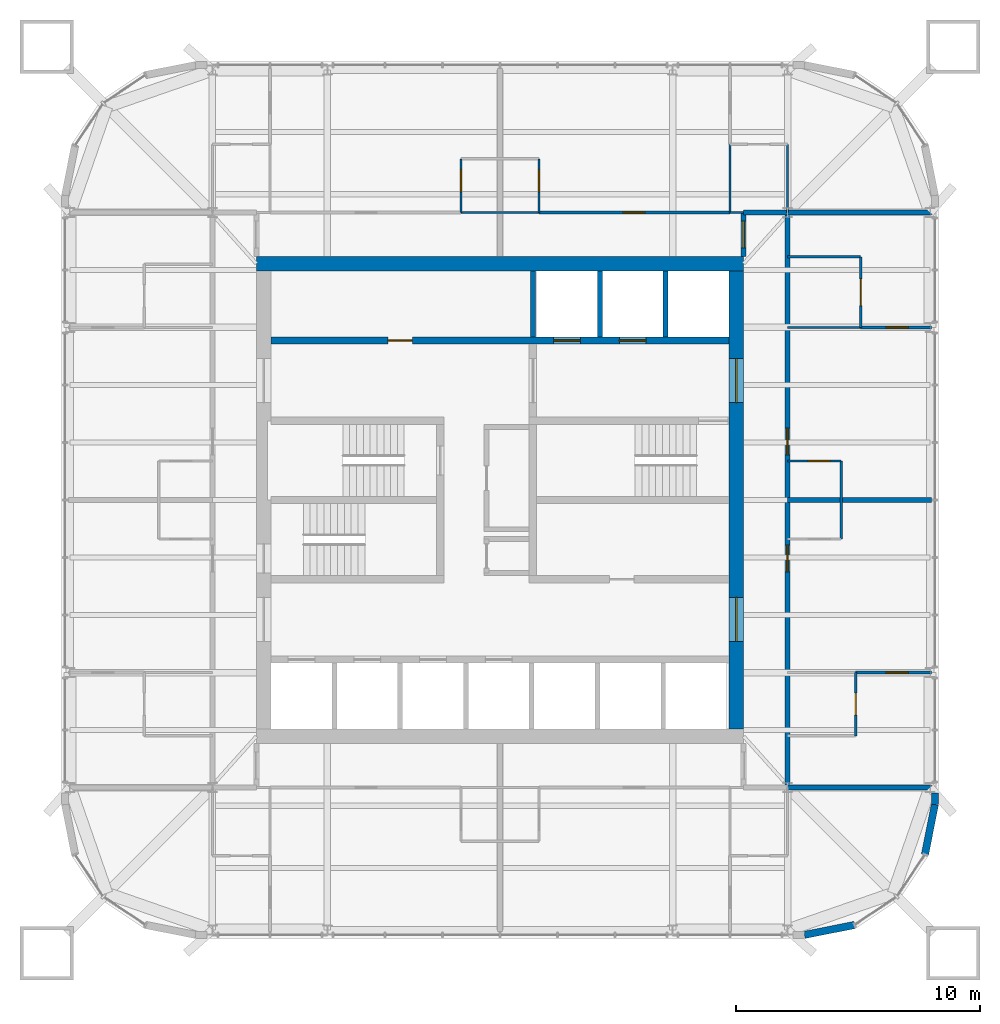
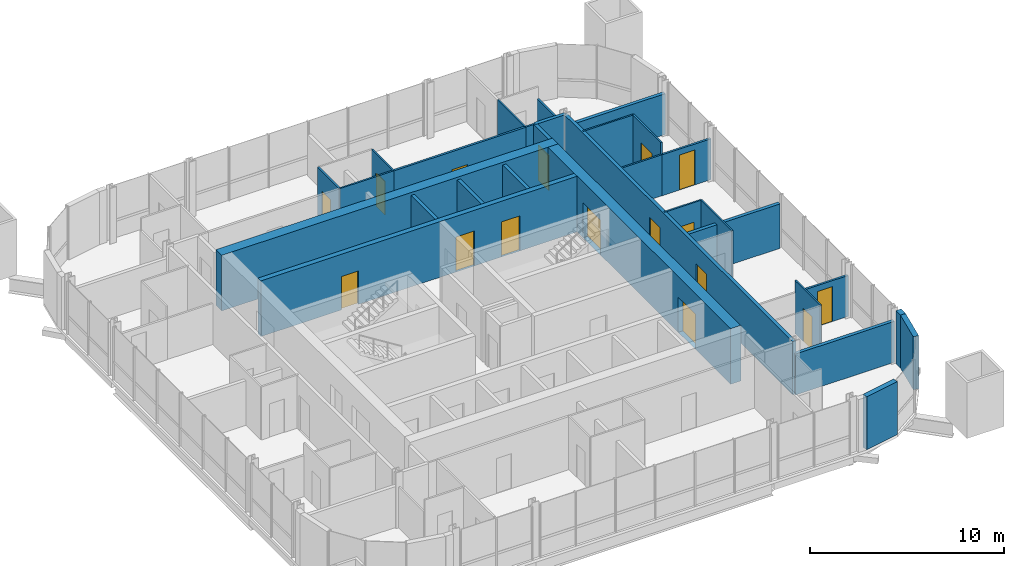
# One storey, part 10 of 12: 30 walls, 16 doors, 16 openings.
"""IFC4 building model written with IfcOpenShell, lengths in metres."""

from ifc_helpers import new_model, si_unit, direction, frame, frame_2d, origin, place, context, subcontext, project, spatial, rectangle, extrude, material, layer, layer_set, type_object, element, fill, save


model = new_model("IFC4")

# Units and contexts
model_context = context("Model", 3, precision=1e-05, world=origin(), true_north=direction((0.0, 1.0)))
body_context = subcontext(model_context, "Body", "Model", "MODEL_VIEW")
ifc_project = project(units=[si_unit("LENGTHUNIT", "METRE"), si_unit("AREAUNIT", "SQUARE_METRE"), si_unit("VOLUMEUNIT", "CUBIC_METRE"), si_unit("PLANEANGLEUNIT", "RADIAN"), si_unit("MASSUNIT", "GRAM", prefix="KILO")], contexts=[model_context])

# Site, building, storey
site_placement = place(None, origin())
site = spatial("IfcSite", under=ifc_project, at=site_placement, CompositionType="ELEMENT")
building_placement = place(site_placement, origin())
building = spatial("IfcBuilding", under=site, at=building_placement, Name="Turquesa Mirador Hotel Tower", CompositionType="ELEMENT")
storey_placement = place(building_placement, frame((0.0, 0.0, 233.699951171875)))
storey = spatial("IfcBuildingStorey", under=building, at=storey_placement, Name="L63", CompositionType="ELEMENT", Elevation=233.699951171875)

# Wall, opening, door
ifc_material_1 = material(Name="Gypsum board on steel studs", Category="steel")
ifc_layer_1 = layer(ifc_material_1, 0.10009765625)
ifc_layer_set_1 = layer_set([ifc_layer_1], Name="BATHROOM WALL 100")
wall_type_1 = type_object("IfcWallType", Name="BATHROOM WALL 100", PredefinedType="PARTITIONING", material=ifc_layer_set_1)
wall_1_placement = place(storey_placement, frame((66.800048828125, 46.60009765625, 0.0), z_axis=(0.0, 0.0, 1.0), x_axis=(1.0, 0.0, 0.0)))
wall_1 = element("IfcWall", 1, at=wall_1_placement, inside=storey, type_object=wall_type_1, Name="Partition L63 024", PredefinedType="PARTITIONING", context=body_context, shape_type="SweptSolid", body=[
    extrude(rectangle(XDim=2.199951171875, YDim=0.10009765625, at=frame_2d((1.10009765625, 0.0))), origin(), (0.0, 0.0, 1.0), 3.330078125),
])
opening_1_placement = place(wall_1_placement, frame((0.85009765625, 0.0, 0.0)))
opening_1 = element("IfcOpeningElement", 2, at=opening_1_placement, cuts=wall_1, Name="Opening D06", PredefinedType="OPENING", context=body_context, shape_type="SweptSolid", body=[
    extrude(rectangle(XDim=0.89990234375, YDim=2.10009765625, at=frame_2d((0.449951171875, 1.050048828125))), frame((0.0, 0.06005859375, 0.0), z_axis=(0.0, -1.0, 0.0), x_axis=(1.0, 0.0, 0.0)), (0.0, 0.0, 1.0), 0.1201171875),
])
ifc_material_2 = material(Name="Laminate door", Category="wood")
door_type_1 = type_object("IfcDoorType", Name="DOOR 900X2100 WC", OperationType="SINGLE_SWING_LEFT", PredefinedType="DOOR", material=ifc_material_2)
door_1_placement = place(opening_1_placement, origin())
door_1 = element("IfcDoor", 3, at=door_1_placement, inside=storey, type_object=door_type_1, Name="Door 6306W", OperationType="SINGLE_SWING_LEFT", OverallHeight=2.10009765625, OverallWidth=0.89990234375, PredefinedType="DOOR", context=body_context, shape_type="SweptSolid", body=[
    extrude(rectangle(XDim=0.89990234375, YDim=2.10009765625, at=frame_2d((0.449951171875, 1.050048828125))), frame((0.0, 0.02490234375, 0.0), z_axis=(0.0, -1.0, 0.0), x_axis=(1.0, 0.0, 0.0)), (0.0, 0.0, 1.0), 0.050048828125),
])
fill(opening_1, door_1)

# Walls
wall_2_placement = place(storey_placement, frame((53.39990234375, 56.800048828125, 0.0), z_axis=(0.0, 0.0, 1.0), x_axis=(1.0, 0.0, 0.0)))
element("IfcWall", 4, at=wall_2_placement, inside=storey, type_object=wall_type_1, Name="Partition L63 026", PredefinedType="PARTITIONING", context=body_context, shape_type="SweptSolid", body=[
    extrude(rectangle(XDim=3.2001953125, YDim=0.10009765625, at=frame_2d((1.60009765625, 0.0))), origin(), (0.0, 0.0, 1.0), 3.330078125),
])
wall_3_placement = place(storey_placement, frame((64.43994140625, 56.800048828125, 0.0), z_axis=(0.0, 0.0, 1.0), x_axis=(1.0, 0.0, 0.0)))
element("IfcWall", 5, at=wall_3_placement, inside=storey, type_object=wall_type_1, Name="Partition L63 027", PredefinedType="PARTITIONING", context=body_context, shape_type="SweptSolid", body=[
    extrude(rectangle(XDim=0.56005859375, YDim=0.10009765625, at=frame_2d((0.280029296875, 0.0))), origin(), (0.0, 0.0, 1.0), 3.330078125),
])
wall_4_placement = place(storey_placement, frame((66.800048828125, 52.080078125, 0.0), z_axis=(0.0, 0.0, 1.0), x_axis=(1.0, 0.0, 0.0)))
element("IfcWall", 6, at=wall_4_placement, inside=storey, type_object=wall_type_1, Name="Partition L63 038", PredefinedType="PARTITIONING", context=body_context, shape_type="SweptSolid", body=[
    extrude(rectangle(XDim=3.0, YDim=0.10009765625, at=frame_2d((1.5, 0.0))), origin(), (0.0, 0.0, 1.0), 2.5732421875),
])
wall_5_placement = place(storey_placement, frame((66.800048828125, 54.97998046875, 0.0), z_axis=(0.0, 0.0, 1.0), x_axis=(1.0, 0.0, 0.0)))
element("IfcWall", 7, at=wall_5_placement, inside=storey, type_object=wall_type_1, Name="Partition L63 042", PredefinedType="PARTITIONING", context=body_context, shape_type="SweptSolid", body=[
    extrude(rectangle(XDim=3.0, YDim=0.10009765625, at=frame_2d((1.5, 0.0))), origin(), (0.0, 0.0, 1.0), 3.330078125),
])

# Wall, opening, door
wall_6_placement = place(storey_placement, frame((53.39990234375, 56.800048828125, 0.0), z_axis=(0.0, 0.0, 1.0), x_axis=(0.0, 1.0, 0.0)))
wall_6 = element("IfcWall", 8, at=wall_6_placement, inside=storey, type_object=wall_type_1, Name="Partition L63 044", PredefinedType="PARTITIONING", context=body_context, shape_type="SweptSolid", body=[
    extrude(rectangle(XDim=2.199951171875, YDim=0.10009765625, at=frame_2d((1.10009765625, 0.0))), origin(), (0.0, 0.0, 1.0), 3.330078125),
])
opening_2_placement = place(wall_6_placement, frame((0.85009765625, 0.0, 0.0)))
opening_2 = element("IfcOpeningElement", 9, at=opening_2_placement, cuts=wall_6, Name="Opening D06", PredefinedType="OPENING", context=body_context, shape_type="SweptSolid", body=[
    extrude(rectangle(XDim=0.89990234375, YDim=2.10009765625, at=frame_2d((0.449951171875, 1.050048828125))), frame((0.0, 0.06005859375, 0.0), z_axis=(0.0, -1.0, 0.0), x_axis=(1.0, 0.0, 0.0)), (0.0, 0.0, 1.0), 0.1201171875),
])
door_2_placement = place(opening_2_placement, origin())
door_2 = element("IfcDoor", 10, at=door_2_placement, inside=storey, type_object=door_type_1, Name="Door 6301W", OperationType="SINGLE_SWING_LEFT", OverallHeight=2.10009765625, OverallWidth=0.89990234375, PredefinedType="DOOR", context=body_context, shape_type="SweptSolid", body=[
    extrude(rectangle(XDim=0.89990234375, YDim=2.10009765625, at=frame_2d((0.449951171875, 1.050048828125))), frame((0.0, 0.02490234375, 0.0), z_axis=(0.0, -1.0, 0.0), x_axis=(1.0, 0.0, 0.0)), (0.0, 0.0, 1.0), 0.050048828125),
])
fill(opening_2, door_2)

wall_7_placement = place(storey_placement, frame((56.60009765625, 56.800048828125, 0.0), z_axis=(0.0, 0.0, 1.0), x_axis=(0.0, 1.0, 0.0)))
wall_7 = element("IfcWall", 11, at=wall_7_placement, inside=storey, type_object=wall_type_1, Name="Partition L63 060", PredefinedType="PARTITIONING", context=body_context, shape_type="SweptSolid", body=[
    extrude(rectangle(XDim=2.199951171875, YDim=0.10009765625, at=frame_2d((1.10009765625, 0.0))), origin(), (0.0, 0.0, 1.0), 3.330078125),
])
opening_3_placement = place(wall_7_placement, frame((0.85009765625, 0.0, 0.0)))
opening_3 = element("IfcOpeningElement", 12, at=opening_3_placement, cuts=wall_7, Name="Opening D06", PredefinedType="OPENING", context=body_context, shape_type="SweptSolid", body=[
    extrude(rectangle(XDim=0.89990234375, YDim=2.10009765625, at=frame_2d((0.449951171875, 1.050048828125))), frame((0.0, 0.06005859375, 0.0), z_axis=(0.0, -1.0, 0.0), x_axis=(1.0, 0.0, 0.0)), (0.0, 0.0, 1.0), 0.1201171875),
])
door_3_placement = place(opening_3_placement, origin())
door_3 = element("IfcDoor", 13, at=door_3_placement, inside=storey, type_object=door_type_1, Name="Door 6302W", OperationType="SINGLE_SWING_LEFT", OverallHeight=2.10009765625, OverallWidth=0.89990234375, PredefinedType="DOOR", context=body_context, shape_type="SweptSolid", body=[
    extrude(rectangle(XDim=0.89990234375, YDim=2.10009765625, at=frame_2d((0.449951171875, 1.050048828125))), frame((0.0, 0.02490234375, 0.0), z_axis=(0.0, -1.0, 0.0), x_axis=(1.0, 0.0, 0.0)), (0.0, 0.0, 1.0), 0.050048828125),
])
fill(opening_3, door_3)

# Walls
wall_8_placement = place(storey_placement, frame((66.800048828125, 56.800048828125, 0.0), z_axis=(0.0, 0.0, 1.0), x_axis=(0.0, 1.0, 0.0)))
element("IfcWall", 14, at=wall_8_placement, inside=storey, type_object=wall_type_1, Name="Partition L63 064", PredefinedType="PARTITIONING", context=body_context, shape_type="SweptSolid", body=[
    extrude(rectangle(XDim=2.800048828125, YDim=0.10009765625, at=frame_2d((1.39990234375, 0.0))), origin(), (0.0, 0.0, 1.0), 2.5732421875),
])
wall_9_placement = place(storey_placement, frame((69.0, 43.39990234375, 0.0), z_axis=(0.0, 0.0, 1.0), x_axis=(0.0, 1.0, 0.0)))
element("IfcWall", 15, at=wall_9_placement, inside=storey, type_object=wall_type_1, Name="Partition L63 066", PredefinedType="PARTITIONING", context=body_context, shape_type="SweptSolid", body=[
    extrude(rectangle(XDim=3.2001953125, YDim=0.10009765625, at=frame_2d((1.60009765625, 0.0))), origin(), (0.0, 0.0, 1.0), 3.330078125),
])

# Wall, opening, door
wall_10_placement = place(storey_placement, frame((69.60009765625, 35.320068359375, 0.0), z_axis=(0.0, 0.0, 1.0), x_axis=(0.0, 1.0, 0.0)))
wall_10 = element("IfcWall", 16, at=wall_10_placement, inside=storey, type_object=wall_type_1, Name="Partition L63 067", PredefinedType="PARTITIONING", context=body_context, shape_type="SweptSolid", body=[
    extrude(rectangle(XDim=2.599853515625, YDim=0.10009765625, at=frame_2d((1.2998046875, 0.0))), origin(), (0.0, 0.0, 1.0), 3.330078125),
])
opening_4_placement = place(wall_10_placement, frame((0.85009765625, 0.0, 0.0)))
opening_4 = element("IfcOpeningElement", 17, at=opening_4_placement, cuts=wall_10, Name="Opening D02", PredefinedType="OPENING", context=body_context, shape_type="SweptSolid", body=[
    extrude(rectangle(XDim=0.89990234375, YDim=2.10009765625, at=frame_2d((0.449951171875, 1.050048828125))), frame((0.0, 0.06005859375, 0.0), z_axis=(0.0, -1.0, 0.0), x_axis=(1.0, 0.0, 0.0)), (0.0, 0.0, 1.0), 0.1201171875),
])
ifc_material_3 = material(Name="Timber veneered door", Category="wood")
door_type_2 = type_object("IfcDoorType", Name="DOOR 900X2100 EN-SUITE", OperationType="SINGLE_SWING_RIGHT", PredefinedType="DOOR", material=ifc_material_3)
door_4_placement = place(opening_4_placement, origin())
door_4 = element("IfcDoor", 18, at=door_4_placement, inside=storey, type_object=door_type_2, Name="Door 6305B", OperationType="SINGLE_SWING_RIGHT", OverallHeight=2.10009765625, OverallWidth=0.89990234375, PredefinedType="DOOR", context=body_context, shape_type="SweptSolid", body=[
    extrude(rectangle(XDim=0.89990234375, YDim=2.10009765625, at=frame_2d((0.449951171875, 1.050048828125))), frame((0.0, 0.02490234375, 0.0), z_axis=(0.0, -1.0, 0.0), x_axis=(1.0, 0.0, 0.0)), (0.0, 0.0, 1.0), 0.050048828125),
])
fill(opening_4, door_4)

wall_11_placement = place(storey_placement, frame((69.800048828125, 52.080078125, 0.0), z_axis=(0.0, 0.0, 1.0), x_axis=(0.0, 1.0, 0.0)))
wall_11 = element("IfcWall", 19, at=wall_11_placement, inside=storey, type_object=wall_type_1, Name="Partition L63 068", PredefinedType="PARTITIONING", context=body_context, shape_type="SweptSolid", body=[
    extrude(rectangle(XDim=2.89990234375, YDim=0.10009765625, at=frame_2d((1.449951171875, 0.0))), origin(), (0.0, 0.0, 1.0), 3.330078125),
])
opening_5_placement = place(wall_11_placement, frame((0.89990234375, 0.0, 0.0)))
opening_5 = element("IfcOpeningElement", 20, at=opening_5_placement, cuts=wall_11, Name="Opening D16", PredefinedType="OPENING", context=body_context, shape_type="SweptSolid", body=[
    extrude(rectangle(XDim=1.10009765625, YDim=2.10009765625, at=frame_2d((0.550048828125, 1.050048828125))), frame((0.0, 0.06005859375, 0.0), z_axis=(0.0, -1.0, 0.0), x_axis=(1.0, 0.0, 0.0)), (0.0, 0.0, 1.0), 0.1201171875),
])
ifc_material_4 = material(Name="Timber veneered sliding door", Category="wood")
door_type_3 = type_object("IfcDoorType", Name="DOOR 1100X2100 ACCESSIBLE EN-SUITE", OperationType="SLIDING_TO_LEFT", PredefinedType="DOOR", material=ifc_material_4)
door_5_placement = place(opening_5_placement, origin())
door_5 = element("IfcDoor", 21, at=door_5_placement, inside=storey, type_object=door_type_3, Name="Door 6306B", OperationType="SLIDING_TO_LEFT", OverallHeight=2.10009765625, OverallWidth=1.10009765625, PredefinedType="DOOR", context=body_context, shape_type="SweptSolid", body=[
    extrude(rectangle(XDim=1.10009765625, YDim=2.10009765625, at=frame_2d((0.550048828125, 1.050048828125))), frame((0.0, 0.02490234375, 0.0), z_axis=(0.0, -1.0, 0.0), x_axis=(1.0, 0.0, 0.0)), (0.0, 0.0, 1.0), 0.050048828125),
])
fill(opening_5, door_5)

# Wall
wall_12_placement = place(storey_placement, frame((64.43994140625, 56.800048828125, 0.0), z_axis=(0.0, 0.0, 1.0), x_axis=(0.0, 1.0, 0.0)))
element("IfcWall", 22, at=wall_12_placement, inside=storey, type_object=wall_type_1, Name="Partition L63 070", PredefinedType="PARTITIONING", context=body_context, shape_type="SweptSolid", body=[
    extrude(rectangle(XDim=2.800048828125, YDim=0.10009765625, at=frame_2d((1.39990234375, 0.0))), origin(), (0.0, 0.0, 1.0), 3.330078125),
])

# Wall, openings, doors
ifc_material_5 = material(Name="Concrete C50/60", Category="concrete")
ifc_layer_2 = layer(ifc_material_5, 0.300048828125)
ifc_layer_set_2 = layer_set([ifc_layer_2], Name="CORE INNER WALL 300")
wall_type_2 = type_object("IfcWallType", Name="CORE INNER WALL 300", PredefinedType="SHEAR", material=ifc_layer_set_2)
wall_13_placement = place(storey_placement, frame((45.60009765625, 51.550048828125, 0.0), z_axis=(0.0, 0.0, 1.0), x_axis=(1.0, 0.0, 0.0)))
wall_13 = element("IfcWall", 23, at=wall_13_placement, inside=storey, type_object=wall_type_2, Name="Core wall NL", PredefinedType="SHEAR", context=body_context, shape_type="SweptSolid", body=[
    extrude(rectangle(XDim=18.7998046875, YDim=0.300048828125, at=frame_2d((9.39990234375, 0.0))), origin(), (0.0, 0.0, 1.0), 3.5),
])
opening_6_placement = place(wall_13_placement, frame((4.800048828125, 0.0, 0.0)))
opening_6 = element("IfcOpeningElement", 24, at=opening_6_placement, cuts=wall_13, Name="Opening D05", PredefinedType="OPENING", context=body_context, shape_type="SweptSolid", body=[
    extrude(rectangle(XDim=1.0, YDim=2.10009765625, at=frame_2d((0.5, 1.050048828125))), frame((0.0, 0.159912109375, 0.0), z_axis=(0.0, -1.0, 0.0), x_axis=(1.0, 0.0, 0.0)), (0.0, 0.0, 1.0), 0.320068359375),
])
opening_7_placement = place(wall_13_placement, frame((11.60009765625, 0.0, 0.0)))
opening_7 = element("IfcOpeningElement", 25, at=opening_7_placement, cuts=wall_13, Name="Opening LD", PredefinedType="OPENING", context=body_context, shape_type="SweptSolid", body=[
    extrude(rectangle(XDim=1.10009765625, YDim=2.199951171875, at=frame_2d((0.550048828125, 1.10009765625))), frame((0.0, 0.159912109375, 0.0), z_axis=(0.0, -1.0, 0.0), x_axis=(1.0, 0.0, 0.0)), (0.0, 0.0, 1.0), 0.320068359375),
])
opening_8_placement = place(wall_13_placement, frame((14.300048828125, 0.0, 0.0)))
opening_8 = element("IfcOpeningElement", 26, at=opening_8_placement, cuts=wall_13, Name="Opening LD", PredefinedType="OPENING", context=body_context, shape_type="SweptSolid", body=[
    extrude(rectangle(XDim=1.10009765625, YDim=2.199951171875, at=frame_2d((0.550048828125, 1.10009765625))), frame((0.0, 0.159912109375, 0.0), z_axis=(0.0, -1.0, 0.0), x_axis=(1.0, 0.0, 0.0)), (0.0, 0.0, 1.0), 0.320068359375),
])
ifc_material_6 = material(Name="Steel fire door", Category="steel")
door_type_4 = type_object("IfcDoorType", Name="DOOR 1000X2100 SERVICE", OperationType="SINGLE_SWING_LEFT", PredefinedType="DOOR", material=ifc_material_6)
door_6_placement = place(opening_6_placement, origin())
door_6 = element("IfcDoor", 27, at=door_6_placement, inside=storey, type_object=door_type_4, Name="Linen store door", OperationType="SINGLE_SWING_LEFT", OverallHeight=2.10009765625, OverallWidth=1.0, PredefinedType="DOOR", context=body_context, shape_type="SweptSolid", body=[
    extrude(rectangle(XDim=1.0, YDim=2.10009765625, at=frame_2d((0.5, 1.050048828125))), frame((0.0, 0.02490234375, 0.0), z_axis=(0.0, -1.0, 0.0), x_axis=(1.0, 0.0, 0.0)), (0.0, 0.0, 1.0), 0.050048828125),
])
fill(opening_6, door_6)
ifc_material_7 = material(Name="Stainless steel lift landing door", Category="steel")
door_type_5 = type_object("IfcDoorType", Name="LIFT LANDING DOOR 1100X2200", OperationType="SLIDING_TO_LEFT", PredefinedType="DOOR", material=ifc_material_7)
door_7_placement = place(opening_7_placement, origin())
door_7 = element("IfcDoor", 28, at=door_7_placement, inside=storey, type_object=door_type_5, Name="Lift S1 landing door", OperationType="SLIDING_TO_LEFT", OverallHeight=2.199951171875, OverallWidth=1.10009765625, PredefinedType="DOOR", context=body_context, shape_type="SweptSolid", body=[
    extrude(rectangle(XDim=1.10009765625, YDim=2.199951171875, at=frame_2d((0.550048828125, 1.10009765625))), frame((0.0, 0.02490234375, 0.0), z_axis=(0.0, -1.0, 0.0), x_axis=(1.0, 0.0, 0.0)), (0.0, 0.0, 1.0), 0.050048828125),
])
fill(opening_7, door_7)
door_8_placement = place(opening_8_placement, origin())
door_8 = element("IfcDoor", 29, at=door_8_placement, inside=storey, type_object=door_type_5, Name="Lift S2 landing door", OperationType="SLIDING_TO_LEFT", OverallHeight=2.199951171875, OverallWidth=1.10009765625, PredefinedType="DOOR", context=body_context, shape_type="SweptSolid", body=[
    extrude(rectangle(XDim=1.10009765625, YDim=2.199951171875, at=frame_2d((0.550048828125, 1.10009765625))), frame((0.0, 0.02490234375, 0.0), z_axis=(0.0, -1.0, 0.0), x_axis=(1.0, 0.0, 0.0)), (0.0, 0.0, 1.0), 0.050048828125),
])
fill(opening_8, door_8)

# Wall
ifc_material_8 = material(Name="Concrete C50/60", Category="concrete")
ifc_layer_3 = layer(ifc_material_8, 0.60009765625)
ifc_layer_set_3 = layer_set([ifc_layer_3], Name="CORE WALL 600")
wall_type_3 = type_object("IfcWallType", Name="CORE WALL 600", PredefinedType="SHEAR", material=ifc_layer_set_3)
wall_14_placement = place(storey_placement, frame((45.0, 54.699951171875, 0.0), z_axis=(0.0, 0.0, 1.0), x_axis=(1.0, 0.0, 0.0)))
element("IfcWall", 30, at=wall_14_placement, inside=storey, type_object=wall_type_3, Name="Core wall N", PredefinedType="SHEAR", context=body_context, shape_type="SweptSolid", body=[
    extrude(rectangle(XDim=20.0, YDim=0.60009765625, at=frame_2d((10.0, 0.0))), origin(), (0.0, 0.0, 1.0), 3.5),
])

# Wall, openings, doors
wall_15_placement = place(storey_placement, frame((64.699951171875, 35.60009765625, 0.0), z_axis=(0.0, 0.0, 1.0), x_axis=(0.0, 1.0, 0.0)))
wall_15 = element("IfcWall", 31, at=wall_15_placement, inside=storey, type_object=wall_type_3, Name="Core wall E", PredefinedType="SHEAR", context=body_context, shape_type="SweptSolid", body=[
    extrude(rectangle(XDim=18.7998046875, YDim=0.60009765625, at=frame_2d((9.39990234375, 0.0))), origin(), (0.0, 0.0, 1.0), 3.5),
])
opening_9_placement = place(wall_15_placement, frame((13.39990234375, 0.0, 0.0)))
opening_9 = element("IfcOpeningElement", 32, at=opening_9_placement, cuts=wall_15, Name="Opening D04", PredefinedType="OPENING", context=body_context, shape_type="SweptSolid", body=[
    extrude(rectangle(XDim=1.800048828125, YDim=2.199951171875, at=frame_2d((0.89990234375, 1.10009765625))), frame((0.0, 0.31005859375, 0.0), z_axis=(0.0, -1.0, 0.0), x_axis=(1.0, 0.0, 0.0)), (0.0, 0.0, 1.0), 0.6201171875),
])
opening_10_placement = place(wall_15_placement, frame((3.60009765625, 0.0, 0.0)))
opening_10 = element("IfcOpeningElement", 33, at=opening_10_placement, cuts=wall_15, Name="Opening D04", PredefinedType="OPENING", context=body_context, shape_type="SweptSolid", body=[
    extrude(rectangle(XDim=1.800048828125, YDim=2.199951171875, at=frame_2d((0.89990234375, 1.10009765625))), frame((0.0, 0.31005859375, 0.0), z_axis=(0.0, -1.0, 0.0), x_axis=(1.0, 0.0, 0.0)), (0.0, 0.0, 1.0), 0.6201171875),
])
ifc_material_9 = material(Name="Steel fire door pair", Category="steel")
door_type_6 = type_object("IfcDoorType", Name="DOOR 1800X2200 PAIR", OperationType="DOUBLE_DOOR_SINGLE_SWING", PredefinedType="DOOR", material=ifc_material_9)
door_9_placement = place(opening_9_placement, origin())
door_9 = element("IfcDoor", 34, at=door_9_placement, inside=storey, type_object=door_type_6, Name="Firefighting lobby door", OperationType="DOUBLE_DOOR_SINGLE_SWING", OverallHeight=2.199951171875, OverallWidth=1.800048828125, PredefinedType="DOOR", context=body_context, shape_type="SweptSolid", body=[
    extrude(rectangle(XDim=1.800048828125, YDim=2.199951171875, at=frame_2d((0.89990234375, 1.10009765625))), frame((0.0, 0.02490234375, 0.0), z_axis=(0.0, -1.0, 0.0), x_axis=(1.0, 0.0, 0.0)), (0.0, 0.0, 1.0), 0.050048828125),
])
fill(opening_9, door_9)
door_10_placement = place(opening_10_placement, origin())
door_10 = element("IfcDoor", 35, at=door_10_placement, inside=storey, type_object=door_type_6, Name="South lift lobby door", OperationType="DOUBLE_DOOR_SINGLE_SWING", OverallHeight=2.199951171875, OverallWidth=1.800048828125, PredefinedType="DOOR", context=body_context, shape_type="SweptSolid", body=[
    extrude(rectangle(XDim=1.800048828125, YDim=2.199951171875, at=frame_2d((0.89990234375, 1.10009765625))), frame((0.0, 0.02490234375, 0.0), z_axis=(0.0, -1.0, 0.0), x_axis=(1.0, 0.0, 0.0)), (0.0, 0.0, 1.0), 0.050048828125),
])
fill(opening_10, door_10)

# Wall
ifc_material_10 = material(Name="Fire-rated gypsum board on steel studs", Category="steel")
ifc_layer_4 = layer(ifc_material_10, 0.199951171875)
ifc_layer_set_4 = layer_set([ifc_layer_4], Name="CORRIDOR WALL 200")
wall_type_4 = type_object("IfcWallType", Name="CORRIDOR WALL 200", PredefinedType="PARTITIONING", material=ifc_layer_set_4)
wall_16_placement = place(storey_placement, frame((65.0, 56.800048828125, 0.0), z_axis=(0.0, 0.0, 1.0), x_axis=(1.0, 0.0, 0.0)))
element("IfcWall", 36, at=wall_16_placement, inside=storey, type_object=wall_type_4, Name="Partition L63 029", PredefinedType="PARTITIONING", context=body_context, shape_type="SweptSolid", body=[
    extrude(rectangle(XDim=1.800048828125, YDim=0.199951171875, at=frame_2d((0.89990234375, 0.0))), origin(), (0.0, 0.0, 1.0), 3.330078125),
])

# Wall, opening, door
wall_17_placement = place(storey_placement, frame((65.0, 55.0, 0.0), z_axis=(0.0, 0.0, 1.0), x_axis=(0.0, 1.0, 0.0)))
wall_17 = element("IfcWall", 37, at=wall_17_placement, inside=storey, type_object=wall_type_4, Name="Partition L63 062", PredefinedType="PARTITIONING", context=body_context, shape_type="SweptSolid", body=[
    extrude(rectangle(XDim=1.800048828125, YDim=0.199951171875, at=frame_2d((0.89990234375, 0.0))), origin(), (0.0, 0.0, 1.0), 3.330078125),
])
opening_11_placement = place(wall_17_placement, frame((0.35009765625, 0.0, 0.0)))
opening_11 = element("IfcOpeningElement", 38, at=opening_11_placement, cuts=wall_17, Name="Opening D15", PredefinedType="OPENING", context=body_context, shape_type="SweptSolid", body=[
    extrude(rectangle(XDim=1.10009765625, YDim=2.199951171875, at=frame_2d((0.550048828125, 1.10009765625))), frame((0.0, 0.10986328125, 0.0), z_axis=(0.0, -1.0, 0.0), x_axis=(1.0, 0.0, 0.0)), (0.0, 0.0, 1.0), 0.219970703125),
])
ifc_material_11 = material(Name="Timber veneered fire door", Category="wood")
door_type_7 = type_object("IfcDoorType", Name="DOOR 1100X2200 SUITE ENTRY", OperationType="SINGLE_SWING_LEFT", PredefinedType="DOOR", material=ifc_material_11)
door_11_placement = place(opening_11_placement, origin())
door_11 = element("IfcDoor", 39, at=door_11_placement, inside=storey, type_object=door_type_7, Name="Door 6302G", OperationType="SINGLE_SWING_LEFT", OverallHeight=2.199951171875, OverallWidth=1.10009765625, PredefinedType="DOOR", context=body_context, shape_type="SweptSolid", body=[
    extrude(rectangle(XDim=1.10009765625, YDim=2.199951171875, at=frame_2d((0.550048828125, 1.10009765625))), frame((0.0, 0.02490234375, 0.0), z_axis=(0.0, -1.0, 0.0), x_axis=(1.0, 0.0, 0.0)), (0.0, 0.0, 1.0), 0.050048828125),
])
fill(opening_11, door_11)

# Wall, openings, doors
wall_18_placement = place(storey_placement, frame((66.800048828125, 33.199951171875, 0.0), z_axis=(0.0, 0.0, 1.0), x_axis=(0.0, 1.0, 0.0)))
wall_18 = element("IfcWall", 40, at=wall_18_placement, inside=storey, type_object=wall_type_4, Name="Partition L63 065", PredefinedType="PARTITIONING", context=body_context, shape_type="SweptSolid", body=[
    extrude(rectangle(XDim=23.60009765625, YDim=0.199951171875, at=frame_2d((11.800048828125, 0.0))), origin(), (0.0, 0.0, 1.0), 3.330078125),
])
opening_12_placement = place(wall_18_placement, frame((8.85009765625, 0.0, 0.0)))
opening_12 = element("IfcOpeningElement", 41, at=opening_12_placement, cuts=wall_18, Name="Opening D15", PredefinedType="OPENING", context=body_context, shape_type="SweptSolid", body=[
    extrude(rectangle(XDim=1.10009765625, YDim=2.199951171875, at=frame_2d((0.550048828125, 1.10009765625))), frame((0.0, 0.10986328125, 0.0), z_axis=(0.0, -1.0, 0.0), x_axis=(1.0, 0.0, 0.0)), (0.0, 0.0, 1.0), 0.219970703125),
])
opening_13_placement = place(wall_18_placement, frame((13.64990234375, 0.0, 0.0)))
opening_13 = element("IfcOpeningElement", 42, at=opening_13_placement, cuts=wall_18, Name="Opening D15", PredefinedType="OPENING", context=body_context, shape_type="SweptSolid", body=[
    extrude(rectangle(XDim=1.10009765625, YDim=2.199951171875, at=frame_2d((0.550048828125, 1.10009765625))), frame((0.0, 0.10986328125, 0.0), z_axis=(0.0, -1.0, 0.0), x_axis=(1.0, 0.0, 0.0)), (0.0, 0.0, 1.0), 0.219970703125),
])
door_12_placement = place(opening_12_placement, origin())
door_12 = element("IfcDoor", 43, at=door_12_placement, inside=storey, type_object=door_type_7, Name="Door 6305", OperationType="SINGLE_SWING_LEFT", OverallHeight=2.199951171875, OverallWidth=1.10009765625, PredefinedType="DOOR", context=body_context, shape_type="SweptSolid", body=[
    extrude(rectangle(XDim=1.10009765625, YDim=2.199951171875, at=frame_2d((0.550048828125, 1.10009765625))), frame((0.0, 0.02490234375, 0.0), z_axis=(0.0, -1.0, 0.0), x_axis=(1.0, 0.0, 0.0)), (0.0, 0.0, 1.0), 0.050048828125),
])
fill(opening_12, door_12)
door_13_placement = place(opening_13_placement, origin())
door_13 = element("IfcDoor", 44, at=door_13_placement, inside=storey, type_object=door_type_7, Name="Door 6306", OperationType="SINGLE_SWING_LEFT", OverallHeight=2.199951171875, OverallWidth=1.10009765625, PredefinedType="DOOR", context=body_context, shape_type="SweptSolid", body=[
    extrude(rectangle(XDim=1.10009765625, YDim=2.199951171875, at=frame_2d((0.550048828125, 1.10009765625))), frame((0.0, 0.02490234375, 0.0), z_axis=(0.0, -1.0, 0.0), x_axis=(1.0, 0.0, 0.0)), (0.0, 0.0, 1.0), 0.050048828125),
])
fill(opening_13, door_13)

# Walls
ifc_material_12 = material(Name="Limestone cladding on concrete block", Category="masonry")
ifc_layer_5 = layer(ifc_material_12, 0.300048828125)
ifc_layer_set_5 = layer_set([ifc_layer_5], Name="FACADE WALL 300 STONE PIER")
wall_type_5 = type_object("IfcWallType", Name="FACADE WALL 300 STONE PIER", PredefinedType="SOLIDWALL", material=ifc_layer_set_5)
for number, where, z_axis, x_axis, name in (
    (45, (67.5, 27.14990234375, 0.0), (0.0, 0.0, 1.0), (0.980787050784, 0.195081421501, 0.0), "Facade wall L63 bay CWS-L63-00 00"),
    (46, (72.44287109375, 30.45263671875, 0.0), (0.0, 0.0, 1.0), (0.195081421501, 0.980787050784, 0.0), "Facade wall L63 bay CWS-L63-00 03"),
):
    element("IfcWall", number, at=place(storey_placement, frame(where, z_axis=z_axis, x_axis=x_axis)), inside=storey, type_object=wall_type_5, Name=name, PredefinedType="SOLIDWALL", context=body_context, shape_type="SweptSolid", body=[
        extrude(rectangle(XDim=2.08740234375, YDim=0.300048828125, at=frame_2d((1.043701171875, 0.0))), origin(), (0.0, 0.0, 1.0), 3.330078125),
    ])
wall_19_placement = place(storey_placement, frame((72.85009765625, 32.5, 0.0), z_axis=(0.0, 0.0, 1.0), x_axis=(0.0, 1.0, 0.0)))
element("IfcWall", 47, at=wall_19_placement, inside=storey, type_object=wall_type_5, Name="Facade wall L63 bay CWS-L63-01 00", PredefinedType="SOLIDWALL", context=body_context, shape_type="SweptSolid", body=[
    extrude(rectangle(XDim=0.466064453125, YDim=0.300048828125, at=frame_2d((0.23291015625, 0.0))), origin(), (0.0, 0.0, 1.0), 3.330078125),
])
ifc_material_13 = material(Name="Fire-rated gypsum shaft wall on steel studs", Category="steel")
ifc_layer_6 = layer(ifc_material_13, 0.199951171875)
ifc_layer_set_6 = layer_set([ifc_layer_6], Name="LIFT SHAFT DIVIDER 200")
wall_type_6 = type_object("IfcWallType", Name="LIFT SHAFT DIVIDER 200", PredefinedType="PARTITIONING", material=ifc_layer_set_6)
for number, where, z_axis, x_axis, name in (
    (48, (59.10009765625, 51.699951171875, 0.0), (0.0, 0.0, 1.0), (0.0, 1.0, 0.0), "Lift shaft divider"),
    (49, (61.800048828125, 51.699951171875, 0.0), (0.0, 0.0, 1.0), (0.0, 1.0, 0.0), "Lift shaft divider"),
    (50, (56.35009765625, 51.699951171875, 0.0), (0.0, 0.0, 1.0), (0.0, 1.0, 0.0), "Lift shaft divider"),
):
    element("IfcWall", number, at=place(storey_placement, frame(where, z_axis=z_axis, x_axis=x_axis)), inside=storey, type_object=wall_type_6, Name=name, PredefinedType="PARTITIONING", context=body_context, shape_type="SweptSolid", body=[
        extrude(rectangle(XDim=2.699951171875, YDim=0.199951171875, at=frame_2d((1.35009765625, 0.0))), origin(), (0.0, 0.0, 1.0), 3.330078125),
    ])
ifc_material_14 = material(Name="Fire-rated gypsum board on steel studs", Category="steel")
ifc_layer_7 = layer(ifc_material_14, 0.199951171875)
ifc_layer_set_7 = layer_set([ifc_layer_7], Name="PARTY WALL 200")
wall_type_7 = type_object("IfcWallType", Name="PARTY WALL 200", PredefinedType="PARTITIONING", material=ifc_layer_set_7)
wall_20_placement = place(storey_placement, frame((66.800048828125, 33.199951171875, 0.0), z_axis=(0.0, 0.0, 1.0), x_axis=(1.0, 0.0, 0.0)))
element("IfcWall", 51, at=wall_20_placement, inside=storey, type_object=wall_type_7, Name="Partition L63 009", PredefinedType="PARTITIONING", context=body_context, shape_type="SweptSolid", body=[
    extrude(rectangle(XDim=5.89990234375, YDim=0.199951171875, at=frame_2d((2.949951171875, 0.0))), origin(), (0.0, 0.0, 1.0), 2.5732421875),
])
wall_21_placement = place(storey_placement, frame((66.800048828125, 45.0, 0.0), z_axis=(0.0, 0.0, 1.0), x_axis=(1.0, 0.0, 0.0)))
element("IfcWall", 52, at=wall_21_placement, inside=storey, type_object=wall_type_7, Name="Partition L63 022", PredefinedType="PARTITIONING", context=body_context, shape_type="SweptSolid", body=[
    extrude(rectangle(XDim=5.89990234375, YDim=0.199951171875, at=frame_2d((2.949951171875, 0.0))), origin(), (0.0, 0.0, 1.0), 2.796630859375),
])
wall_22_placement = place(storey_placement, frame((66.800048828125, 56.800048828125, 0.0), z_axis=(0.0, 0.0, 1.0), x_axis=(1.0, 0.0, 0.0)))
element("IfcWall", 53, at=wall_22_placement, inside=storey, type_object=wall_type_7, Name="Partition L63 031", PredefinedType="PARTITIONING", context=body_context, shape_type="SweptSolid", body=[
    extrude(rectangle(XDim=5.89990234375, YDim=0.199951171875, at=frame_2d((2.949951171875, 0.0))), origin(), (0.0, 0.0, 1.0), 2.5732421875),
])

# Wall, opening, door
ifc_material_15 = material(Name="Acoustic gypsum board on steel studs", Category="steel")
ifc_layer_8 = layer(ifc_material_15, 0.125)
ifc_layer_set_8 = layer_set([ifc_layer_8], Name="SUITE PARTITION 125")
wall_type_8 = type_object("IfcWallType", Name="SUITE PARTITION 125", PredefinedType="PARTITIONING", material=ifc_layer_set_8)
wall_23_placement = place(storey_placement, frame((69.60009765625, 37.919921875, 0.0), z_axis=(0.0, 0.0, 1.0), x_axis=(1.0, 0.0, 0.0)))
wall_23 = element("IfcWall", 54, at=wall_23_placement, inside=storey, type_object=wall_type_8, Name="Partition L63 018", PredefinedType="PARTITIONING", context=body_context, shape_type="SweptSolid", body=[
    extrude(rectangle(XDim=3.099853515625, YDim=0.125, at=frame_2d((1.5498046875, 0.0))), origin(), (0.0, 0.0, 1.0), 2.5732421875),
])
opening_14_placement = place(wall_23_placement, frame((1.25, 0.0, 0.0)))
opening_14 = element("IfcOpeningElement", 55, at=opening_14_placement, cuts=wall_23, Name="Opening D17", PredefinedType="OPENING", context=body_context, shape_type="SweptSolid", body=[
    extrude(rectangle(XDim=0.89990234375, YDim=2.199951171875, at=frame_2d((0.449951171875, 1.10009765625))), frame((0.0, 0.072509765625, 0.0), z_axis=(0.0, -1.0, 0.0), x_axis=(1.0, 0.0, 0.0)), (0.0, 0.0, 1.0), 0.14501953125),
])
ifc_material_16 = material(Name="Timber veneered door", Category="wood")
door_type_8 = type_object("IfcDoorType", Name="DOOR 900X2200 SUITE INTERNAL", OperationType="SINGLE_SWING_LEFT", PredefinedType="DOOR", material=ifc_material_16)
door_14_placement = place(opening_14_placement, origin())
door_14 = element("IfcDoor", 56, at=door_14_placement, inside=storey, type_object=door_type_8, Name="Door 6305R", OperationType="SINGLE_SWING_LEFT", OverallHeight=2.199951171875, OverallWidth=0.89990234375, PredefinedType="DOOR", context=body_context, shape_type="SweptSolid", body=[
    extrude(rectangle(XDim=0.89990234375, YDim=2.199951171875, at=frame_2d((0.449951171875, 1.10009765625))), frame((0.0, 0.02490234375, 0.0), z_axis=(0.0, -1.0, 0.0), x_axis=(1.0, 0.0, 0.0)), (0.0, 0.0, 1.0), 0.050048828125),
])
fill(opening_14, door_14)

wall_24_placement = place(storey_placement, frame((56.60009765625, 56.800048828125, 0.0), z_axis=(0.0, 0.0, 1.0), x_axis=(1.0, 0.0, 0.0)))
wall_24 = element("IfcWall", 57, at=wall_24_placement, inside=storey, type_object=wall_type_8, Name="Partition L63 033", PredefinedType="PARTITIONING", context=body_context, shape_type="SweptSolid", body=[
    extrude(rectangle(XDim=7.83984375, YDim=0.125, at=frame_2d((3.919921875, 0.0))), origin(), (0.0, 0.0, 1.0), 3.330078125),
])
opening_15_placement = place(wall_24_placement, frame((3.449951171875, 0.0, 0.0)))
opening_15 = element("IfcOpeningElement", 58, at=opening_15_placement, cuts=wall_24, Name="Opening D17", PredefinedType="OPENING", context=body_context, shape_type="SweptSolid", body=[
    extrude(rectangle(XDim=0.89990234375, YDim=2.199951171875, at=frame_2d((0.449951171875, 1.10009765625))), frame((0.0, 0.072509765625, 0.0), z_axis=(0.0, -1.0, 0.0), x_axis=(1.0, 0.0, 0.0)), (0.0, 0.0, 1.0), 0.14501953125),
])
door_15_placement = place(opening_15_placement, origin())
door_15 = element("IfcDoor", 59, at=door_15_placement, inside=storey, type_object=door_type_8, Name="Door 6302", OperationType="SINGLE_SWING_LEFT", OverallHeight=2.199951171875, OverallWidth=0.89990234375, PredefinedType="DOOR", context=body_context, shape_type="SweptSolid", body=[
    extrude(rectangle(XDim=0.89990234375, YDim=2.199951171875, at=frame_2d((0.449951171875, 1.10009765625))), frame((0.0, 0.02490234375, 0.0), z_axis=(0.0, -1.0, 0.0), x_axis=(1.0, 0.0, 0.0)), (0.0, 0.0, 1.0), 0.050048828125),
])
fill(opening_15, door_15)

wall_25_placement = place(storey_placement, frame((69.800048828125, 52.080078125, 0.0), z_axis=(0.0, 0.0, 1.0), x_axis=(1.0, 0.0, 0.0)))
wall_25 = element("IfcWall", 60, at=wall_25_placement, inside=storey, type_object=wall_type_8, Name="Partition L63 040", PredefinedType="PARTITIONING", context=body_context, shape_type="SweptSolid", body=[
    extrude(rectangle(XDim=2.89990234375, YDim=0.125, at=frame_2d((1.449951171875, 0.0))), origin(), (0.0, 0.0, 1.0), 2.5732421875),
])
opening_16_placement = place(wall_25_placement, frame((1.050048828125, 0.0, 0.0)))
opening_16 = element("IfcOpeningElement", 61, at=opening_16_placement, cuts=wall_25, Name="Opening D17", PredefinedType="OPENING", context=body_context, shape_type="SweptSolid", body=[
    extrude(rectangle(XDim=0.89990234375, YDim=2.199951171875, at=frame_2d((0.449951171875, 1.10009765625))), frame((0.0, 0.072509765625, 0.0), z_axis=(0.0, -1.0, 0.0), x_axis=(1.0, 0.0, 0.0)), (0.0, 0.0, 1.0), 0.14501953125),
])
door_16_placement = place(opening_16_placement, origin())
door_16 = element("IfcDoor", 62, at=door_16_placement, inside=storey, type_object=door_type_8, Name="Door 6306R", OperationType="SINGLE_SWING_LEFT", OverallHeight=2.199951171875, OverallWidth=0.89990234375, PredefinedType="DOOR", context=body_context, shape_type="SweptSolid", body=[
    extrude(rectangle(XDim=0.89990234375, YDim=2.199951171875, at=frame_2d((0.449951171875, 1.10009765625))), frame((0.0, 0.02490234375, 0.0), z_axis=(0.0, -1.0, 0.0), x_axis=(1.0, 0.0, 0.0)), (0.0, 0.0, 1.0), 0.050048828125),
])
fill(opening_16, door_16)

save(model, "model.ifc")
